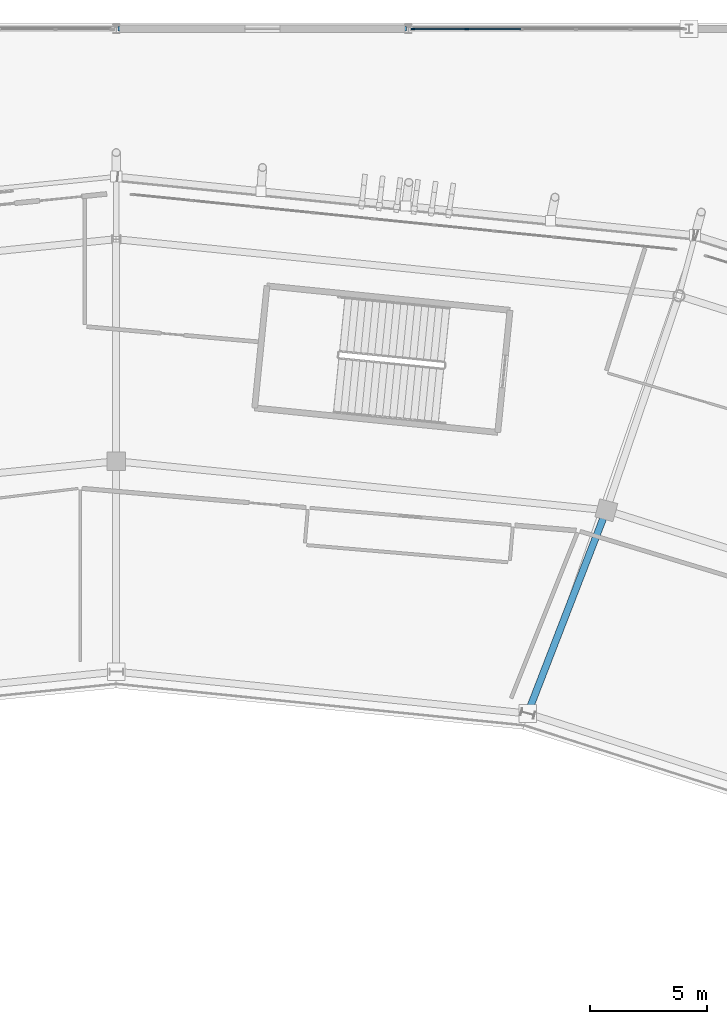
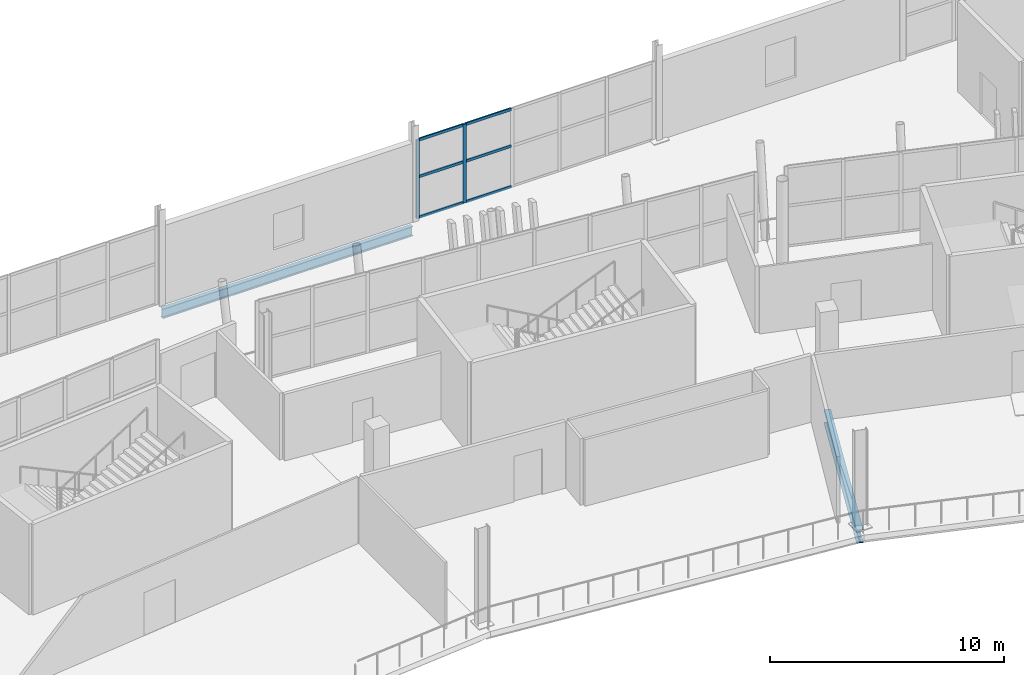
# One storey, part 81 of 179: 8 members, 2 beams, 1 element without a shape of its own.
"""IFC4 building model written with IfcOpenShell, lengths in metres."""

import ifcopenshell
import ifcopenshell.guid

model = None  # the IFC model being written
_history = None  # IfcOwnerHistory: only IFC2X3 demands one
_inside = {}  # id of a spatial element -> (the spatial element, [elements in it])
_under = {}  # id of a project, library or spatial element -> (it, [spatial elements below it])
_declared = {}  # id of a project -> (the project, [libraries it declares])
_typed = {}  # id of a type object -> (the type object, [elements of that type])
_made_of = {}  # id of a material, layer set ... -> (it, [elements and type objects made of it])


def new_model(schema):
    """Start an empty IFC model of exactly this schema.

    Asked for "IFC4X3", IfcOpenShell would pick the latest addendum, in which some entities
    have other attributes; the version numbers below select the first issue.
    IFC2X3 requires an IfcOwnerHistory on every rooted entity: one is made here for all.
    """
    global model, _history
    if schema == "IFC4X3":
        model = ifcopenshell.file(schema_version=(4, 3, 0, 0))
    else:
        model = ifcopenshell.file(schema=schema)
    _inside.clear()
    _under.clear()
    _declared.clear()
    _typed.clear()
    _made_of.clear()
    _history = None
    if model.schema == "IFC2X3":
        org = make("IfcOrganization", Name="unknown")
        user = make(
            "IfcPersonAndOrganization",
            ThePerson=make("IfcPerson", FamilyName="unknown"),
            TheOrganization=org,
        )
        app = make(
            "IfcApplication",
            ApplicationDeveloper=org,
            Version="unknown",
            ApplicationFullName="unknown",
            ApplicationIdentifier="unknown",
        )
        _history = make(
            "IfcOwnerHistory",
            OwningUser=user,
            OwningApplication=app,
            ChangeAction="ADDED",
            CreationDate=0,
        )
    return model


def make(cls, **values):
    """One entity of the class cls with the attributes given. An attribute that is None is left unset."""
    return model.create_entity(
        cls, **{name: value for name, value in values.items() if value is not None}
    )


def rooted(cls, **values):
    """An entity with a GlobalId (a new one), such as an element, a storey or a relation."""
    return make(cls, GlobalId=ifcopenshell.guid.new(), OwnerHistory=_history, **values)


def si_unit(unit_type, name, prefix=None):
    """IfcSIUnit, for example si_unit("LENGTHUNIT", "METRE", prefix="MILLI")."""
    return make("IfcSIUnit", UnitType=unit_type, Prefix=prefix, Name=name)


def assignment(units):
    """IfcUnitAssignment: the units of a project."""
    return None if units is None else make("IfcUnitAssignment", Units=units)


def point(xyz):
    """IfcCartesianPoint."""
    return None if xyz is None else make("IfcCartesianPoint", Coordinates=xyz)


def direction(xyz):
    """IfcDirection."""
    return None if xyz is None else make("IfcDirection", DirectionRatios=xyz)


def frame(location, z_axis=None, x_axis=None):
    """IfcAxis2Placement3D, a coordinate frame: its origin and axes. An axis left out is left unset."""
    return make(
        "IfcAxis2Placement3D",
        Location=point(location),
        Axis=direction(z_axis),
        RefDirection=direction(x_axis),
    )


def frame_2d(location, x_axis=None):
    """IfcAxis2Placement2D, a coordinate frame in the plane: its origin and x axis."""
    return make(
        "IfcAxis2Placement2D", Location=point(location), RefDirection=direction(x_axis)
    )


def origin():
    """The frame at (0, 0, 0) with its axes left unset."""
    return frame((0.0, 0.0, 0.0))


def origin_2d():
    """The frame at (0, 0) in the plane with its x axis left unset."""
    return frame_2d((0.0, 0.0))


def place(relative_to, where):
    """IfcLocalPlacement: puts the frame where relative to a parent placement (None: the world)."""
    return make(
        "IfcLocalPlacement", PlacementRelTo=relative_to, RelativePlacement=where
    )


def context(
    kind, dimensions, precision=None, world=None, true_north=None, identifier=None
):
    """IfcGeometricRepresentationContext, for example the 3D "Model" context."""
    return make(
        "IfcGeometricRepresentationContext",
        ContextIdentifier=identifier,
        ContextType=kind,
        CoordinateSpaceDimension=dimensions,
        Precision=precision,
        WorldCoordinateSystem=world,
        TrueNorth=true_north,
    )


def subcontext(parent, identifier, kind, view, scale=None):
    """IfcGeometricRepresentationSubContext, for example "Body" below "Model"."""
    return make(
        "IfcGeometricRepresentationSubContext",
        ContextIdentifier=identifier,
        ContextType=kind,
        ParentContext=parent,
        TargetScale=scale,
        TargetView=view,
    )


def project(units=None, contexts=None):
    """IfcProject with its units and contexts."""
    return rooted(
        "IfcProject",
        Name="project",
        RepresentationContexts=contexts,
        UnitsInContext=assignment(units),
    )


def spatial(cls, under=None, at=None, **own):
    """A site, building, storey or space (cls), placed at a placement, below another one or the project."""
    s = rooted(cls, ObjectPlacement=at, **own)
    if under is not None:
        _under.setdefault(under.id(), (under, []))[1].append(s)
    return s


def profile(cls, at=None, kind="AREA", **sizes):
    """A parametric profile (cls). Its sizes go by their IFC names, for example OverallWidth=200.0."""
    return make(cls, ProfileType=kind, Position=at, **sizes)


def rectangle(**sizes):
    """IfcRectangleProfileDef."""
    return profile("IfcRectangleProfileDef", **sizes)


def i_section(**sizes):
    """IfcIShapeProfileDef."""
    return profile("IfcIShapeProfileDef", **sizes)


def extrude(swept, where, along, depth):
    """IfcExtrudedAreaSolid: the profile swept, set in the frame where, extruded along a direction by depth."""
    return make(
        "IfcExtrudedAreaSolid",
        SweptArea=swept,
        Position=where,
        ExtrudedDirection=direction(along),
        Depth=depth,
    )


def shape(context_of_items, identifier, shape_type, items):
    """IfcShapeRepresentation: the items that make up one representation, for example the "Body"."""
    return make(
        "IfcShapeRepresentation",
        ContextOfItems=context_of_items,
        RepresentationIdentifier=identifier,
        RepresentationType=shape_type,
        Items=items,
    )


def material(Name=None, Category=None):
    """IfcMaterial."""
    return make("IfcMaterial", Name=Name, Category=Category)


def material_profile(
    of_material, cross_section, Name=None, Category=None, Priority=None
):
    """IfcMaterialProfile: a cross section and its material."""
    return make(
        "IfcMaterialProfile",
        Name=Name,
        Material=of_material,
        Profile=cross_section,
        Priority=Priority,
        Category=Category,
    )


def profile_set(profiles, Name=None, composite=None):
    """IfcMaterialProfileSet."""
    return make(
        "IfcMaterialProfileSet",
        Name=Name,
        MaterialProfiles=profiles,
        CompositeProfile=composite,
    )


def made_of(thing, what):
    """Note that an element or type object is made of a material, layer set ...; save() writes the relation."""
    if what is not None:
        _made_of.setdefault(what.id(), (what, []))[1].append(thing)
    return thing


def type_object(cls, material=None, **own):
    """A type object (cls), such as IfcWallType, which elements share."""
    return made_of(rooted(cls, **own), material)


def element(
    cls,
    number,
    at=None,
    inside=None,
    cuts=None,
    type_object=None,
    material=None,
    context=None,
    identifier="Body",
    shape_type=None,
    held_by="IfcProductDefinitionShape",
    body=None,
    shapes=None,
    **own,
):
    """One element of the class cls, such as IfcWall. Its Tag is "e" and its number.

    at: its placement. inside: the storey or other place that contains it. cuts: it is an
    opening in that element (IfcRelVoidsElement). A single representation is given by context,
    identifier, shape_type and body (its items); several are given by shapes. held_by: the class
    of the entity that holds the representations. save() writes the other relations.
    """
    e = rooted(cls, Tag="e%d" % number, ObjectPlacement=at, **own)
    if body is not None:
        shapes = [shape(context, identifier, shape_type, body)]
    if shapes is not None:
        e.Representation = make(held_by, Representations=shapes)
    if inside is not None:
        _inside.setdefault(inside.id(), (inside, []))[1].append(e)
    if cuts is not None:
        rooted(
            "IfcRelVoidsElement", RelatingBuildingElement=cuts, RelatedOpeningElement=e
        )
    if type_object is not None:
        _typed.setdefault(type_object.id(), (type_object, []))[1].append(e)
    return made_of(e, material)


def aggregate(whole, parts):
    """IfcRelAggregates: a whole, such as a stair, and the parts it consists of."""
    return rooted("IfcRelAggregates", RelatingObject=whole, RelatedObjects=parts)


def save(model, path):
    """Write the relations noted so far, then the file.

    IfcRelAggregates (storeys below a building ...), IfcRelContainedInSpatialStructure (elements
    in a storey), IfcRelDefinesByType, IfcRelAssociatesMaterial and IfcRelDeclares: one each for
    every whole, place, type object, material and project.
    """
    for whole, parts in _under.values():
        aggregate(whole, parts)
    for where, things in _inside.values():
        rooted(
            "IfcRelContainedInSpatialStructure",
            RelatedElements=things,
            RelatingStructure=where,
        )
    for kind, things in _typed.values():
        rooted("IfcRelDefinesByType", RelatedObjects=things, RelatingType=kind)
    for what, things in _made_of.values():
        rooted("IfcRelAssociatesMaterial", RelatedObjects=things, RelatingMaterial=what)
    for by, libraries in _declared.values():
        rooted("IfcRelDeclares", RelatingContext=by, RelatedDefinitions=libraries)
    model.write(path)


model = new_model("IFC4")

# Units and contexts
model_context = context("Model", 3, precision=1e-05, world=origin(), true_north=direction((0.0, 1.0)))
body_context = subcontext(model_context, "Body", "Model", "MODEL_VIEW")
ifc_project = project(units=[si_unit("LENGTHUNIT", "METRE"), si_unit("AREAUNIT", "SQUARE_METRE"), si_unit("VOLUMEUNIT", "CUBIC_METRE"), si_unit("PLANEANGLEUNIT", "RADIAN"), si_unit("MASSUNIT", "GRAM", prefix="KILO")], contexts=[model_context])

# Site, building, storey
site_placement = place(None, origin())
site = spatial("IfcSite", under=ifc_project, at=site_placement, CompositionType="ELEMENT")
building_placement = place(site_placement, origin())
building = spatial("IfcBuilding", under=site, at=building_placement, Name="Zlatoyarsky Gate Stadium", CompositionType="ELEMENT")
storey_placement = place(building_placement, frame((0.0, 0.0, 10.60009765625)))
storey = spatial("IfcBuildingStorey", under=building, at=storey_placement, Name="L02", CompositionType="ELEMENT", Elevation=10.60009765625)

# Curtain wall, members
ifc_material_1 = material(Name="Thermally broken anodised aluminium curtain wall", Category="aluminium")
curtain_wall_type = type_object("IfcCurtainWallType", Name="WINTER GARDEN CONSERVATORY GLAZING", PredefinedType="USERDEFINED", material=ifc_material_1)
curtain_wall_placement = place(storey_placement, origin())
curtain_wall = element("IfcCurtainWall", 1, at=curtain_wall_placement, inside=storey, type_object=curtain_wall_type, Name="Curtain wall CW-V2_NORTH-L02-151", ObjectType="UNITISED GLAZING", PredefinedType="USERDEFINED")
ifc_material_2 = material(Name="Anodised aluminium 6063-T6", Category="aluminium")
ifc_material_profile_1 = material_profile(ifc_material_2, rectangle(XDim=0.06494140625, YDim=0.159912109375, at=origin_2d()), Name="ALU 65X160")
ifc_profile_set_1 = profile_set([ifc_material_profile_1], Name="Anodised aluminium 6063-T6")
member_type_1 = type_object("IfcMemberType", Name="ALUMINIUM MULLION 65X160", PredefinedType="MULLION", material=ifc_profile_set_1)
member_1_placement = place(storey_placement, frame((123.694580078125, 160.0, 0.0), z_axis=(0.0, 0.0, 1.0), x_axis=(0.0, 1.0, 0.0)))
member_1 = element("IfcMember", 2, at=member_1_placement, type_object=member_type_1, Name="CW-WG1 mullion 1", PredefinedType="MULLION", context=body_context, shape_type="SweptSolid", body=[
    extrude(rectangle(XDim=0.06494140625, YDim=0.159912109375, at=origin_2d()), origin(), (0.0, 0.0, 1.0), 4.099853515625),
])
member_2_placement = place(storey_placement, frame((125.997314453125, 160.0, 0.0), z_axis=(0.0, 0.0, 1.0), x_axis=(0.0, 1.0, 0.0)))
member_2 = element("IfcMember", 3, at=member_2_placement, type_object=member_type_1, Name="CW-WG1 mullion 2", PredefinedType="MULLION", context=body_context, shape_type="SweptSolid", body=[
    extrude(rectangle(XDim=0.06494140625, YDim=0.159912109375, at=origin_2d()), origin(), (0.0, 0.0, 1.0), 4.099853515625),
])
ifc_material_profile_2 = material_profile(ifc_material_2, rectangle(XDim=0.06494140625, YDim=0.139892578125, at=origin_2d()), Name="ALU 65X140")
ifc_profile_set_2 = profile_set([ifc_material_profile_2], Name="Anodised aluminium 6063-T6")
member_type_2 = type_object("IfcMemberType", Name="ALUMINIUM TRANSOM 65X140", PredefinedType="USERDEFINED", material=ifc_profile_set_2)
member_3_placement = place(storey_placement, frame((123.72705078125, 160.0, 0.032470703125), z_axis=(1.0, 0.0, 0.0), x_axis=(0.0, 1.0, 0.0)))
member_3 = element("IfcMember", 4, at=member_3_placement, type_object=member_type_2, Name="CW-WG1 transom 1.1", ObjectType="TRANSOM", PredefinedType="USERDEFINED", context=body_context, shape_type="SweptSolid", body=[
    extrude(rectangle(XDim=0.06494140625, YDim=0.139892578125, at=origin_2d()), origin(), (0.0, 0.0, 1.0), 2.237548828125),
])
member_4_placement = place(storey_placement, frame((123.72705078125, 160.0, 2.14990234375), z_axis=(1.0, 0.0, 0.0), x_axis=(0.0, 1.0, 0.0)))
member_4 = element("IfcMember", 5, at=member_4_placement, type_object=member_type_2, Name="CW-WG1 transom 1.2", ObjectType="TRANSOM", PredefinedType="USERDEFINED", context=body_context, shape_type="SweptSolid", body=[
    extrude(rectangle(XDim=0.06494140625, YDim=0.139892578125, at=origin_2d()), origin(), (0.0, 0.0, 1.0), 2.237548828125),
])
member_5_placement = place(storey_placement, frame((123.72705078125, 160.0, 4.0673828125), z_axis=(1.0, 0.0, 0.0), x_axis=(0.0, 1.0, 0.0)))
member_5 = element("IfcMember", 6, at=member_5_placement, type_object=member_type_2, Name="CW-WG1 transom 1.3", ObjectType="TRANSOM", PredefinedType="USERDEFINED", context=body_context, shape_type="SweptSolid", body=[
    extrude(rectangle(XDim=0.06494140625, YDim=0.139892578125, at=origin_2d()), origin(), (0.0, 0.0, 1.0), 2.237548828125),
])
member_6_placement = place(storey_placement, frame((126.02978515625, 160.0, 0.032470703125), z_axis=(1.0, 0.0, 0.0), x_axis=(0.0, 1.0, 0.0)))
member_6 = element("IfcMember", 7, at=member_6_placement, type_object=member_type_2, Name="CW-WG1 transom 2.1", ObjectType="TRANSOM", PredefinedType="USERDEFINED", context=body_context, shape_type="SweptSolid", body=[
    extrude(rectangle(XDim=0.06494140625, YDim=0.139892578125, at=origin_2d()), origin(), (0.0, 0.0, 1.0), 2.27001953125),
])
member_7_placement = place(storey_placement, frame((126.02978515625, 160.0, 2.14990234375), z_axis=(1.0, 0.0, 0.0), x_axis=(0.0, 1.0, 0.0)))
member_7 = element("IfcMember", 8, at=member_7_placement, type_object=member_type_2, Name="CW-WG1 transom 2.2", ObjectType="TRANSOM", PredefinedType="USERDEFINED", context=body_context, shape_type="SweptSolid", body=[
    extrude(rectangle(XDim=0.06494140625, YDim=0.139892578125, at=origin_2d()), origin(), (0.0, 0.0, 1.0), 2.27001953125),
])
member_8_placement = place(storey_placement, frame((126.02978515625, 160.0, 4.0673828125), z_axis=(1.0, 0.0, 0.0), x_axis=(0.0, 1.0, 0.0)))
member_8 = element("IfcMember", 9, at=member_8_placement, type_object=member_type_2, Name="CW-WG1 transom 2.3", ObjectType="TRANSOM", PredefinedType="USERDEFINED", context=body_context, shape_type="SweptSolid", body=[
    extrude(rectangle(XDim=0.06494140625, YDim=0.139892578125, at=origin_2d()), origin(), (0.0, 0.0, 1.0), 2.27001953125),
])
aggregate(curtain_wall, [member_1, member_2, member_3, member_4, member_5, member_6, member_7, member_8])

# Beams
ifc_material_3 = material(Name="Steel S355", Category="steel")
ifc_material_profile_3 = material_profile(ifc_material_3, i_section(OverallWidth=0.199951171875, OverallDepth=0.5, WebThickness=0.01025390625, FlangeThickness=0.01611328125, FilletRadius=0.02099609375, at=origin_2d()), Name="IPE 500")
ifc_profile_set_3 = profile_set([ifc_material_profile_3], Name="Steel S355")
beam_type_1 = type_object("IfcBeamType", Name="STEEL FLOOR BEAM IPE 500", PredefinedType="BEAM", material=ifc_profile_set_3)
beam_1_placement = place(storey_placement, frame((111.080078125, 160.0, -0.530029296875), z_axis=(1.0, 0.0, 0.0), x_axis=(0.0, 1.0, 0.0)))
element("IfcBeam", 10, at=beam_1_placement, inside=storey, type_object=beam_type_1, Name="Beam B-IPE500 BM-L02-WGX-10-Q", PredefinedType="BEAM", context=body_context, shape_type="SweptSolid", body=[
    extrude(i_section(OverallWidth=0.199951171875, OverallDepth=0.5, WebThickness=0.01025390625, FlangeThickness=0.01611328125, FilletRadius=0.02099609375, at=origin_2d()), origin(), (0.0, 0.0, 1.0), 12.33984375),
])
ifc_material_profile_4 = material_profile(ifc_material_3, i_section(OverallWidth=0.300048828125, OverallDepth=0.699951171875, WebThickness=0.01708984375, FlangeThickness=0.031982421875, FilletRadius=0.027099609375, at=origin_2d()), Name="HEB 700")
ifc_profile_set_4 = profile_set([ifc_material_profile_4], Name="Steel S355")
beam_type_2 = type_object("IfcBeamType", Name="STEEL PRIMARY GIRDER HEB 700", PredefinedType="BEAM", material=ifc_profile_set_4)
beam_2_placement = place(storey_placement, frame((128.64306640625, 130.822998046875, -0.630126953125), z_axis=(0.36092924223, 0.932593202904, 0.0), x_axis=(-0.932593202904, 0.36092924223, 0.0)))
element("IfcBeam", 11, at=beam_2_placement, inside=storey, type_object=beam_type_2, Name="Beam G-HEB700 BM-L02-RAB-05", PredefinedType="BEAM", context=body_context, shape_type="SweptSolid", body=[
    extrude(i_section(OverallWidth=0.300048828125, OverallDepth=0.699951171875, WebThickness=0.01708984375, FlangeThickness=0.031982421875, FilletRadius=0.027099609375, at=origin_2d()), origin(), (0.0, 0.0, 1.0), 9.08154296875),
])

save(model, "model.ifc")
